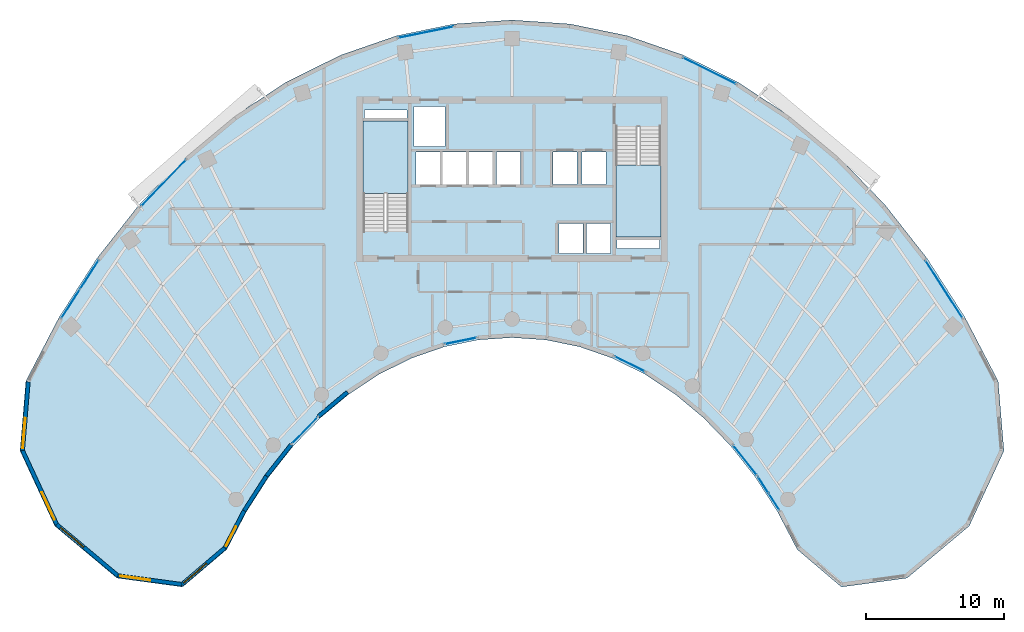
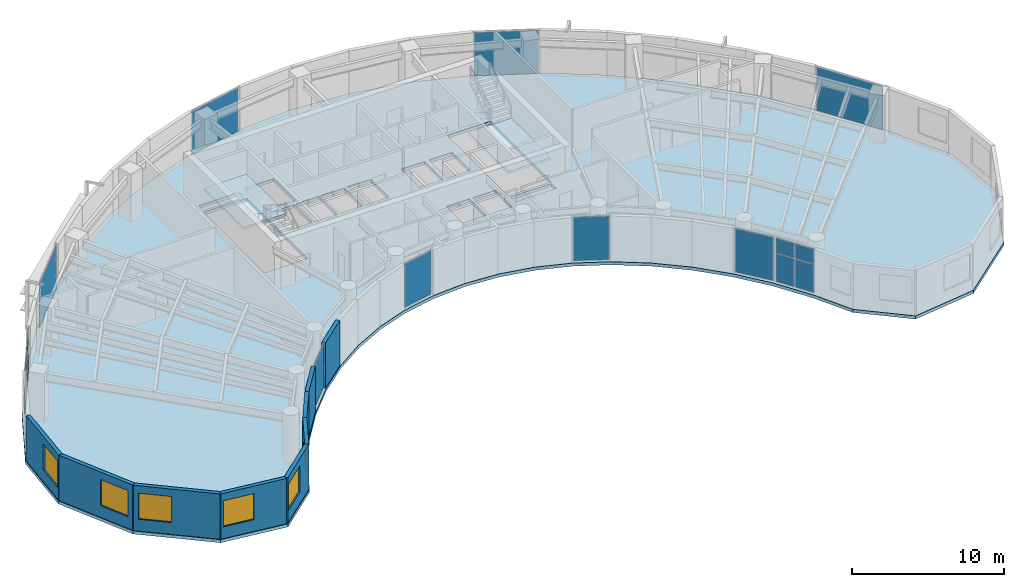
# One storey, part 7 of 13: 16 plates, 9 walls, 6 windows, 3 slabs, 6 openings, 12 elements without a shape of their own.
"""IFC4 building model written with IfcOpenShell, lengths in metres."""

from ifc_helpers import new_model, si_unit, direction, frame, frame_2d, origin, origin_2d, place, context, subcontext, project, spatial, polyline, rectangle, outline, extrude, source, transform, mapped, material, layer, layer_set, type_object, type_shapes, element, fill, aggregate, save


model = new_model("IFC4")

# Units and contexts
model_context = context("Model", 3, precision=1e-05, world=origin(), true_north=direction((0.0, 1.0)))
body_context = subcontext(model_context, "Body", "Model", "MODEL_VIEW")
ifc_project = project(units=[si_unit("LENGTHUNIT", "METRE"), si_unit("AREAUNIT", "SQUARE_METRE"), si_unit("VOLUMEUNIT", "CUBIC_METRE"), si_unit("PLANEANGLEUNIT", "RADIAN"), si_unit("MASSUNIT", "GRAM", prefix="KILO")], contexts=[model_context])

# Site, building, storey
site_placement = place(None, origin())
site = spatial("IfcSite", under=ifc_project, at=site_placement, CompositionType="ELEMENT")
building_placement = place(site_placement, origin())
building = spatial("IfcBuilding", under=site, at=building_placement, Name="Breltana Convention Tower", CompositionType="ELEMENT")
storey_placement = place(building_placement, frame((0.0, 0.0, 154.5)))
storey = spatial("IfcBuildingStorey", under=building, at=storey_placement, Name="L37", CompositionType="ELEMENT", Elevation=154.5)

# Slab
ifc_material_1 = material(Name="Concrete C40/50", Category="concrete")
ifc_layer_1 = layer(ifc_material_1, 0.25, Name="Concrete C40/50")
ifc_layer_set_1 = layer_set([ifc_layer_1], Name="Concrete C40/50")
slab_type_1 = type_object("IfcSlabType", Name="SL-OFF-250", PredefinedType="FLOOR", material=ifc_layer_set_1)
slab_1_placement = place(storey_placement, frame((0.0, 0.0, -0.25)))
element("IfcSlab", 1, at=slab_1_placement, inside=storey, type_object=slab_type_1, Name="L37 Suspended Structural Floor Slab", PredefinedType="FLOOR", context=body_context, shape_type="SweptSolid", body=[
    extrude(outline(polyline([(83.27880859375, 51.539794921875), (80.870361328125, 56.166015625), (78.12548828125, 60.442138671875), (75.072265625, 64.32470703125), (71.74169921875, 67.774169921875), (68.168212890625, 70.7548828125), (64.387939453125, 73.236328125), (60.440185546875, 75.193115234375), (56.36474609375, 76.60546875), (52.203857421875, 77.45849609375), (48.0, 77.743896484375), (43.796142578125, 77.45849609375), (39.63525390625, 76.60546875), (35.559814453125, 75.193115234375), (31.612060546875, 73.236328125), (27.831787109375, 70.7548828125), (24.25830078125, 67.774169921875), (20.927734375, 64.32470703125), (17.87451171875, 60.442138671875), (15.129638671875, 56.166015625), (12.72119140625, 51.539794921875), (12.298095703125, 46.4794921875), (14.822509765625, 41.019287109375), (19.329833984375, 37.2451171875), (24.098876953125, 36.598388671875), (27.3076171875, 39.326171875), (28.72021484375, 42.03955078125), (30.330078125, 44.5478515625), (32.12109375, 46.8251953125), (34.07470703125, 48.848388671875), (36.170654296875, 50.5966796875), (38.3876953125, 52.052001953125), (40.703369140625, 53.19970703125), (43.09375, 54.0283203125), (45.5341796875, 54.528564453125), (48.0, 54.696044921875), (50.4658203125, 54.528564453125), (52.90625, 54.0283203125), (55.296630859375, 53.19970703125), (57.6123046875, 52.052001953125), (59.829345703125, 50.5966796875), (61.92529296875, 48.848388671875), (63.87890625, 46.8251953125), (65.669921875, 44.5478515625), (67.27978515625, 42.03955078125), (68.6923828125, 39.326171875), (71.901123046875, 36.598388671875), (76.670166015625, 37.2451171875), (81.177490234375, 41.019287109375), (83.701904296875, 46.4794921875), (83.27880859375, 51.539794921875)]), holes=[polyline([(37.199951171875, 62.385009765625), (40.469970703125, 62.385009765625), (40.469970703125, 70.39990234375), (37.199951171875, 70.39990234375), (37.199951171875, 62.385009765625)]), polyline([(55.530029296875, 62.0), (58.800048828125, 62.0), (58.800048828125, 70.014892578125), (55.530029296875, 70.014892578125), (55.530029296875, 62.0)]), polyline([(51.39990234375, 60.800048828125), (53.159912109375, 60.800048828125), (53.159912109375, 62.97998046875), (51.39990234375, 62.97998046875), (51.39990234375, 60.800048828125)]), polyline([(53.39990234375, 60.800048828125), (55.159912109375, 60.800048828125), (55.159912109375, 62.97998046875), (53.39990234375, 62.97998046875), (53.39990234375, 60.800048828125)]), polyline([(41.0400390625, 65.820068359375), (42.800048828125, 65.820068359375), (42.800048828125, 68.179931640625), (41.0400390625, 68.179931640625), (41.0400390625, 65.820068359375)]), polyline([(42.93994140625, 65.820068359375), (44.699951171875, 65.820068359375), (44.699951171875, 68.179931640625), (42.93994140625, 68.179931640625), (42.93994140625, 65.820068359375)]), polyline([(44.8701171875, 65.820068359375), (46.6298828125, 65.820068359375), (46.6298828125, 68.179931640625), (44.8701171875, 68.179931640625), (44.8701171875, 65.820068359375)]), polyline([(46.8701171875, 65.820068359375), (48.6298828125, 65.820068359375), (48.6298828125, 68.179931640625), (46.8701171875, 68.179931640625), (46.8701171875, 65.820068359375)]), polyline([(50.969970703125, 65.800048828125), (52.72998046875, 65.800048828125), (52.72998046875, 68.179931640625), (50.969970703125, 68.179931640625), (50.969970703125, 65.800048828125)]), polyline([(53.070068359375, 65.800048828125), (54.830078125, 65.800048828125), (54.830078125, 68.179931640625), (53.070068359375, 68.179931640625), (53.070068359375, 65.800048828125)]), polyline([(40.8798828125, 68.550048828125), (43.1201171875, 68.550048828125), (43.1201171875, 71.449951171875), (40.8798828125, 71.449951171875), (40.8798828125, 68.550048828125)]), polyline([(37.300048828125, 70.60009765625), (40.3798828125, 70.60009765625), (40.3798828125, 71.219970703125), (37.300048828125, 71.219970703125), (37.300048828125, 70.60009765625)]), polyline([(55.6201171875, 61.179931640625), (58.699951171875, 61.179931640625), (58.699951171875, 61.800048828125), (55.6201171875, 61.800048828125), (55.6201171875, 61.179931640625)])]), origin(), (0.0, 0.0, 1.0), 0.25),
])

# Stair, slab
stair_type = type_object("IfcStairType", Name="ST-DOG-1560-R177", PredefinedType="HALF_TURN_STAIR", material=ifc_material_1)
stair_1_placement = place(storey_placement, origin())
stair_1 = element("IfcStair", 2, at=stair_1_placement, inside=storey, type_object=stair_type, Name="L37 Protected Core Exit Stair ST-1", PredefinedType="HALF_TURN_STAIR")
ifc_layer_2 = layer(ifc_material_1, 0.199951171875, Name="Concrete C40/50")
ifc_layer_set_2 = layer_set([ifc_layer_2], Name="Concrete C40/50")
slab_type_2 = type_object("IfcSlabType", Name="SL-STAIR-LANDING-200", PredefinedType="LANDING", material=ifc_layer_set_2)
slab_2_placement = place(storey_placement, frame((0.0, 0.0, 1.75)))
slab_2 = element("IfcSlab", 3, at=slab_2_placement, type_object=slab_type_2, Name="ST-1 landing 1", PredefinedType="LANDING", context=body_context, shape_type="SweptSolid", body=[
    extrude(outline(polyline([(40.469970703125, 65.159912109375), (40.469970703125, 70.39990234375), (37.199951171875, 70.39990234375), (37.199951171875, 65.159912109375), (40.469970703125, 65.159912109375)])), origin(), (0.0, 0.0, 1.0), 0.199951171875),
])
aggregate(stair_1, [slab_2])

stair_2_placement = place(storey_placement, origin())
stair_2 = element("IfcStair", 4, at=stair_2_placement, inside=storey, type_object=stair_type, Name="L37 Protected Core Exit Stair ST-2", PredefinedType="HALF_TURN_STAIR")
slab_3_placement = place(storey_placement, frame((0.0, 0.0, 1.75)))
slab_3 = element("IfcSlab", 5, at=slab_3_placement, type_object=slab_type_2, Name="ST-2 landing 1", PredefinedType="LANDING", context=body_context, shape_type="SweptSolid", body=[
    extrude(outline(polyline([(55.530029296875, 67.239990234375), (55.530029296875, 62.0), (58.800048828125, 62.0), (58.800048828125, 67.239990234375), (55.530029296875, 67.239990234375)])), origin(), (0.0, 0.0, 1.0), 0.199951171875),
])
aggregate(stair_2, [slab_3])

# Curtain wall, plates
ifc_material_2 = material(Name="Aluminium Anodised Bronze Frame", Category="aluminium")
ifc_layer_3 = layer(ifc_material_2, 0.18994140625, Name="Aluminium Anodised Bronze Frame")
ifc_layer_set_3 = layer_set([ifc_layer_3], Name="Aluminium Anodised Bronze Frame")
curtain_wall_type_1 = type_object("IfcCurtainWallType", Name="CW-SYS-1", PredefinedType="NOTDEFINED", material=ifc_layer_set_3)
curtain_wall_1_placement = place(storey_placement, origin())
curtain_wall_1 = element("IfcCurtainWall", 6, at=curtain_wall_1_placement, inside=storey, type_object=curtain_wall_type_1, Name="L37 inner south-court glazing 1", PredefinedType="NOTDEFINED")
ifc_material_3 = material(Name="Glass Low-E Double Glazing", Category="glass")
ifc_layer_4 = layer(ifc_material_3, 0.028076171875, Name="Glass Low-E Double Glazing")
ifc_layer_set_4 = layer_set([ifc_layer_4], Name="Glass Low-E Double Glazing")
plate_type = type_object("IfcPlateType", Name="CWP-IGU-28", PredefinedType="CURTAIN_PANEL", material=ifc_layer_set_4)
shared_shape_1 = source(origin(), body_context, "Body", "SweptSolid", [
    extrude(rectangle(XDim=1.3701171875, YDim=0.028076171875, at=origin_2d()), origin(), (0.0, 0.0, 1.0), 2.25244140625),
])
plate_1_placement = place(storey_placement, frame((67.01806640625, 42.78076171875, 0.080078125), z_axis=(0.0, 0.0, 1.0), x_axis=(-0.540184298954, 0.841546744491, 0.0)))
plate_1 = element("IfcPlate", 7, at=plate_1_placement, type_object=plate_type, Name="CW-01 panel 1.1", PredefinedType="CURTAIN_PANEL", context=body_context, shape_type="MappedRepresentation", body=[
    mapped(shared_shape_1, transform((0.0, 0.0, 0.0), scale=1.0)),
])
plate_2_placement = place(storey_placement, frame((66.234619140625, 44.001220703125, 0.080078125), z_axis=(0.0, 0.0, 1.0), x_axis=(-0.540184298954, 0.841546744491, 0.0)))
plate_2 = element("IfcPlate", 8, at=plate_2_placement, type_object=plate_type, Name="CW-01 panel 2.1", PredefinedType="CURTAIN_PANEL", context=body_context, shape_type="MappedRepresentation", body=[
    mapped(shared_shape_1, transform((0.0, 0.0, 0.0), scale=1.0)),
])
shared_shape_2 = source(origin(), body_context, "Body", "SweptSolid", [
    extrude(rectangle(XDim=1.3701171875, YDim=0.028076171875, at=origin_2d()), origin(), (0.0, 0.0, 1.0), 1.157470703125),
])
plate_3_placement = place(storey_placement, frame((67.01806640625, 42.78076171875, 2.41259765625), z_axis=(0.0, 0.0, 1.0), x_axis=(-0.540184298954, 0.841546744491, 0.0)))
plate_3 = element("IfcPlate", 9, at=plate_3_placement, type_object=plate_type, Name="CW-01 panel 1.2", PredefinedType="CURTAIN_PANEL", context=body_context, shape_type="MappedRepresentation", body=[
    mapped(shared_shape_2, transform((0.0, 0.0, 0.0), scale=1.0)),
])
plate_4_placement = place(storey_placement, frame((66.234619140625, 44.001220703125, 2.41259765625), z_axis=(0.0, 0.0, 1.0), x_axis=(-0.540184298954, 0.841546744491, 0.0)))
plate_4 = element("IfcPlate", 10, at=plate_4_placement, type_object=plate_type, Name="CW-01 panel 2.2", PredefinedType="CURTAIN_PANEL", context=body_context, shape_type="MappedRepresentation", body=[
    mapped(shared_shape_2, transform((0.0, 0.0, 0.0), scale=1.0)),
])
aggregate(curtain_wall_1, [plate_1, plate_3, plate_2, plate_4])

# Curtain wall, plate
curtain_wall_2_placement = place(storey_placement, origin())
curtain_wall_2 = element("IfcCurtainWall", 11, at=curtain_wall_2_placement, inside=storey, type_object=curtain_wall_type_1, Name="L37 inner south-court glazing 2", PredefinedType="NOTDEFINED")
shared_shape_3 = source(origin(), body_context, "Body", "SweptSolid", [
    extrude(rectangle(XDim=2.737060546875, YDim=0.028076171875, at=origin_2d()), origin(), (0.0, 0.0, 1.0), 3.489990234375),
])
plate_5_placement = place(storey_placement, frame((64.915771484375, 45.7978515625, 0.080078125), z_axis=(0.0, 0.0, 1.0), x_axis=(-0.618161435717, 0.786051168431, 0.0)))
plate_5 = element("IfcPlate", 12, at=plate_5_placement, type_object=plate_type, Name="CW-01 panel 1.1", PredefinedType="CURTAIN_PANEL", context=body_context, shape_type="MappedRepresentation", body=[
    mapped(shared_shape_3, transform((0.0, 0.0, 0.0), scale=1.0)),
])
aggregate(curtain_wall_2, [plate_5])

# Curtain wall, plates
ifc_layer_5 = layer(ifc_material_2, 0.2099609375, Name="Aluminium Anodised Bronze Frame")
ifc_layer_set_5 = layer_set([ifc_layer_5], Name="Aluminium Anodised Bronze Frame")
curtain_wall_type_2 = type_object("IfcCurtainWallType", Name="CW-SYS-3", PredefinedType="NOTDEFINED", material=ifc_layer_set_5)
curtain_wall_3_placement = place(storey_placement, origin())
curtain_wall_3 = element("IfcCurtainWall", 13, at=curtain_wall_3_placement, inside=storey, type_object=curtain_wall_type_2, Name="L37 outer double-skin inner glazing 1", PredefinedType="NOTDEFINED")
shared_shape_4 = source(origin(), body_context, "Body", "SweptSolid", [
    extrude(rectangle(XDim=2.42724609375, YDim=0.028076171875, at=origin_2d()), origin(), (0.0, 0.0, 1.0), 2.25244140625),
])
plate_6_placement = place(storey_placement, frame((15.97900390625, 57.15576171875, 0.080078125), z_axis=(0.0, 0.0, 1.0), x_axis=(0.54017267843, 0.841554203529, 0.0)))
plate_6 = element("IfcPlate", 14, at=plate_6_placement, type_object=plate_type, Name="CW-03 panel 1.1", PredefinedType="CURTAIN_PANEL", context=body_context, shape_type="MappedRepresentation", body=[
    mapped(shared_shape_4, transform((0.0, 0.0, 0.0), scale=1.0)),
])
plate_7_placement = place(storey_placement, frame((17.327880859375, 59.25732421875, 0.080078125), z_axis=(0.0, 0.0, 1.0), x_axis=(0.54017267843, 0.841554203529, 0.0)))
plate_7 = element("IfcPlate", 15, at=plate_7_placement, type_object=plate_type, Name="CW-03 panel 2.1", PredefinedType="CURTAIN_PANEL", context=body_context, shape_type="MappedRepresentation", body=[
    mapped(shared_shape_4, transform((0.0, 0.0, 0.0), scale=1.0)),
])
shared_shape_5 = source(origin(), body_context, "Body", "SweptSolid", [
    extrude(rectangle(XDim=2.42724609375, YDim=0.028076171875, at=origin_2d()), origin(), (0.0, 0.0, 1.0), 1.157470703125),
])
plate_8_placement = place(storey_placement, frame((15.97900390625, 57.15576171875, 2.41259765625), z_axis=(0.0, 0.0, 1.0), x_axis=(0.54017267843, 0.841554203529, 0.0)))
plate_8 = element("IfcPlate", 16, at=plate_8_placement, type_object=plate_type, Name="CW-03 panel 1.2", PredefinedType="CURTAIN_PANEL", context=body_context, shape_type="MappedRepresentation", body=[
    mapped(shared_shape_5, transform((0.0, 0.0, 0.0), scale=1.0)),
])
plate_9_placement = place(storey_placement, frame((17.327880859375, 59.25732421875, 2.41259765625), z_axis=(0.0, 0.0, 1.0), x_axis=(0.54017267843, 0.841554203529, 0.0)))
plate_9 = element("IfcPlate", 17, at=plate_9_placement, type_object=plate_type, Name="CW-03 panel 2.2", PredefinedType="CURTAIN_PANEL", context=body_context, shape_type="MappedRepresentation", body=[
    mapped(shared_shape_5, transform((0.0, 0.0, 0.0), scale=1.0)),
])
aggregate(curtain_wall_3, [plate_6, plate_8, plate_7, plate_9])

# Curtain wall, plate
curtain_wall_4_placement = place(storey_placement, origin())
curtain_wall_4 = element("IfcCurtainWall", 18, at=curtain_wall_4_placement, inside=storey, type_object=curtain_wall_type_2, Name="L37 outer double-skin inner glazing 4", PredefinedType="NOTDEFINED")
shared_shape_6 = source(origin(), body_context, "Body", "SweptSolid", [
    extrude(rectangle(XDim=4.243896484375, YDim=0.028076171875, at=origin_2d()), origin(), (0.0, 0.0, 1.0), 3.489990234375),
])
plate_10_placement = place(storey_placement, frame((62.334228515625, 74.053466796875, 0.080078125), z_axis=(0.0, 0.0, 1.0), x_axis=(0.895968385619, -0.444117835682, 0.0)))
plate_10 = element("IfcPlate", 19, at=plate_10_placement, type_object=plate_type, Name="CW-03 panel 1.1", PredefinedType="CURTAIN_PANEL", context=body_context, shape_type="MappedRepresentation", body=[
    mapped(shared_shape_6, transform((0.0, 0.0, 0.0), scale=1.0)),
])
aggregate(curtain_wall_4, [plate_10])

curtain_wall_5_placement = place(storey_placement, origin())
curtain_wall_5 = element("IfcCurtainWall", 20, at=curtain_wall_5_placement, inside=storey, type_object=curtain_wall_type_2, Name="L37 outer double-skin inner glazing 3", PredefinedType="NOTDEFINED")
shared_shape_7 = source(origin(), body_context, "Body", "SweptSolid", [
    extrude(rectangle(XDim=4.08349609375, YDim=0.028076171875, at=origin_2d()), origin(), (0.0, 0.0, 1.0), 3.489990234375),
])
plate_11_placement = place(storey_placement, frame((41.751708984375, 76.855712890625, 0.080078125), z_axis=(0.0, 0.0, 1.0), x_axis=(0.979616560993, 0.200876562668, 0.0)))
plate_11 = element("IfcPlate", 21, at=plate_11_placement, type_object=plate_type, Name="CW-03 panel 1.1", PredefinedType="CURTAIN_PANEL", context=body_context, shape_type="MappedRepresentation", body=[
    mapped(shared_shape_7, transform((0.0, 0.0, 0.0), scale=1.0)),
])
aggregate(curtain_wall_5, [plate_11])

curtain_wall_6_placement = place(storey_placement, origin())
curtain_wall_6 = element("IfcCurtainWall", 22, at=curtain_wall_6_placement, inside=storey, type_object=curtain_wall_type_2, Name="L37 outer double-skin inner glazing 2", PredefinedType="NOTDEFINED")
shared_shape_8 = source(origin(), body_context, "Body", "SweptSolid", [
    extrude(rectangle(XDim=4.635986328125, YDim=0.028076171875, at=origin_2d()), origin(), (0.0, 0.0, 1.0), 3.489990234375),
])
plate_12_placement = place(storey_placement, frame((22.722412109375, 65.92431640625, 0.080078125), z_axis=(0.0, 0.0, 1.0), x_axis=(0.694602734297, 0.719393523398, 0.0)))
plate_12 = element("IfcPlate", 23, at=plate_12_placement, type_object=plate_type, Name="CW-03 panel 1.1", PredefinedType="CURTAIN_PANEL", context=body_context, shape_type="MappedRepresentation", body=[
    mapped(shared_shape_8, transform((0.0, 0.0, 0.0), scale=1.0)),
])
aggregate(curtain_wall_6, [plate_12])

curtain_wall_7_placement = place(storey_placement, origin())
curtain_wall_7 = element("IfcCurtainWall", 24, at=curtain_wall_7_placement, inside=storey, type_object=curtain_wall_type_1, Name="L37 inner south-court glazing 3", PredefinedType="NOTDEFINED")
shared_shape_9 = source(origin(), body_context, "Body", "SweptSolid", [
    extrude(rectangle(XDim=2.424560546875, YDim=0.028076171875, at=origin_2d()), origin(), (0.0, 0.0, 1.0), 3.489990234375),
])
plate_13_placement = place(storey_placement, frame((56.5341796875, 52.787109375, 0.080078125), z_axis=(0.0, 0.0, 1.0), x_axis=(-0.895969545082, 0.444115496562, 0.0)))
plate_13 = element("IfcPlate", 25, at=plate_13_placement, type_object=plate_type, Name="CW-01 panel 1.1", PredefinedType="CURTAIN_PANEL", context=body_context, shape_type="MappedRepresentation", body=[
    mapped(shared_shape_9, transform((0.0, 0.0, 0.0), scale=1.0)),
])
aggregate(curtain_wall_7, [plate_13])

curtain_wall_8_placement = place(storey_placement, origin())
curtain_wall_8 = element("IfcCurtainWall", 26, at=curtain_wall_8_placement, inside=storey, type_object=curtain_wall_type_1, Name="L37 inner south-court glazing 4", PredefinedType="NOTDEFINED")
shared_shape_10 = source(origin(), body_context, "Body", "SweptSolid", [
    extrude(rectangle(XDim=2.331298828125, YDim=0.028076171875, at=origin_2d()), origin(), (0.0, 0.0, 1.0), 3.489990234375),
])
plate_14_placement = place(storey_placement, frame((44.27783203125, 54.45458984375, 0.080078125), z_axis=(0.0, 0.0, 1.0), x_axis=(-0.979619715529, -0.200861178299, 0.0)))
plate_14 = element("IfcPlate", 27, at=plate_14_placement, type_object=plate_type, Name="CW-01 panel 1.1", PredefinedType="CURTAIN_PANEL", context=body_context, shape_type="MappedRepresentation", body=[
    mapped(shared_shape_10, transform((0.0, 0.0, 0.0), scale=1.0)),
])
aggregate(curtain_wall_8, [plate_14])

curtain_wall_9_placement = place(storey_placement, origin())
curtain_wall_9 = element("IfcCurtainWall", 28, at=curtain_wall_9_placement, inside=storey, type_object=curtain_wall_type_1, Name="L37 inner south-court glazing 5", PredefinedType="NOTDEFINED")
shared_shape_11 = source(origin(), body_context, "Body", "SweptSolid", [
    extrude(rectangle(XDim=2.65234375, YDim=0.028076171875, at=origin_2d()), origin(), (0.0, 0.0, 1.0), 3.489990234375),
])
plate_15_placement = place(storey_placement, frame((32.96826171875, 47.961669921875, 0.080078125), z_axis=(0.0, 0.0, 1.0), x_axis=(-0.694606570168, -0.719389819694, 0.0)))
plate_15 = element("IfcPlate", 29, at=plate_15_placement, type_object=plate_type, Name="CW-01 panel 1.1", PredefinedType="CURTAIN_PANEL", context=body_context, shape_type="MappedRepresentation", body=[
    mapped(shared_shape_11, transform((0.0, 0.0, 0.0), scale=1.0)),
])
aggregate(curtain_wall_9, [plate_15])

curtain_wall_10_placement = place(storey_placement, origin())
curtain_wall_10 = element("IfcCurtainWall", 30, at=curtain_wall_10_placement, inside=storey, type_object=curtain_wall_type_2, Name="L37 outer double-skin inner glazing 5", PredefinedType="NOTDEFINED")
shared_shape_12 = source(origin(), body_context, "Body", "SweptSolid", [
    extrude(rectangle(XDim=4.924560546875, YDim=0.028076171875, at=origin_2d()), origin(), (0.0, 0.0, 1.0), 3.489990234375),
])
plate_16_placement = place(storey_placement, frame((79.3466796875, 58.20654296875, 0.080078125), z_axis=(0.0, 0.0, 1.0), x_axis=(0.54017267843, -0.841554203529, 0.0)))
plate_16 = element("IfcPlate", 31, at=plate_16_placement, type_object=plate_type, Name="CW-03 panel 1.1", PredefinedType="CURTAIN_PANEL", context=body_context, shape_type="MappedRepresentation", body=[
    mapped(shared_shape_12, transform((0.0, 0.0, 0.0), scale=1.0)),
])
aggregate(curtain_wall_10, [plate_16])

# Wall, opening, window
ifc_material_4 = material(Name="Limestone Buff Insulated Wall", Category="masonry")
ifc_layer_6 = layer(ifc_material_4, 0.280029296875, Name="Limestone Buff Insulated Wall")
ifc_layer_set_6 = layer_set([ifc_layer_6], Name="Limestone Buff Insulated Wall")
wall_type = type_object("IfcWallType", Name="WL-EXT-NOSE-280", PredefinedType="SOLIDWALL", material=ifc_layer_set_6)
shared_shape_13 = source(origin(), body_context, "Body", "SweptSolid", [
    extrude(rectangle(XDim=4.994384765625, YDim=0.280029296875, at=frame_2d((2.4970703125, 0.0))), origin(), (0.0, 0.0, 1.0), 3.64990234375),
])
wall_1_placement = place(storey_placement, frame((12.4814453125, 46.51171875, 0.0), z_axis=(0.0, 0.0, 1.0), x_axis=(0.083344839916, 0.996520766296, 0.0)))
wall_1 = element("IfcWall", 32, at=wall_1_placement, inside=storey, type_object=wall_type, Name="L37 curved limestone nose wall W6", PredefinedType="SOLIDWALL", context=body_context, shape_type="MappedRepresentation", body=[
    mapped(shared_shape_13, transform((0.0, 0.0, 0.0), scale=1.0)),
])
opening_1_placement = place(wall_1_placement, frame((0.159912109375, 0.0, 0.949951171875)))
opening_1 = element("IfcOpeningElement", 33, at=opening_1_placement, cuts=wall_1, Name="Opening W-03", PredefinedType="OPENING", context=body_context, shape_type="SweptSolid", body=[
    extrude(rectangle(XDim=2.199951171875, YDim=2.10009765625, at=frame_2d((1.10009765625, 1.050048828125))), frame((0.0, 0.14990234375, 0.0), z_axis=(0.0, -1.0, 0.0), x_axis=(1.0, 0.0, 0.0)), (0.0, 0.0, 1.0), 0.300048828125),
])
ifc_material_5 = material(Name="Glass Low-E Insulated Window", Category="glass")
window_type_1 = type_object("IfcWindowType", Name="WN-NOSE-2200X2100", PartitioningType="TRIPLE_PANEL_VERTICAL", PredefinedType="WINDOW", material=ifc_material_5)
shared_shape_14 = source(origin(), body_context, "Body", "SweptSolid", [
    extrude(rectangle(XDim=2.199951171875, YDim=2.10009765625, at=frame_2d((1.10009765625, 1.050048828125))), frame((0.0, 0.030029296875, 0.0), z_axis=(0.0, -1.0, 0.0), x_axis=(1.0, 0.0, 0.0)), (0.0, 0.0, 1.0), 0.06005859375),
])
type_shapes(window_type_1, [shared_shape_14])
window_1_placement = place(opening_1_placement, origin())
window_1 = element("IfcWindow", 34, at=window_1_placement, inside=storey, type_object=window_type_1, Name="L37 nose window W6", OverallHeight=2.10009765625, OverallWidth=2.199951171875, PartitioningType="TRIPLE_PANEL_VERTICAL", PredefinedType="WINDOW", context=body_context, shape_type="MappedRepresentation", body=[
    mapped(shared_shape_14, transform((0.0, 0.0, 0.0), scale=1.0)),
])
fill(opening_1, window_1)

shared_shape_15 = source(origin(), body_context, "Body", "SweptSolid", [
    extrude(rectangle(XDim=5.927490234375, YDim=0.280029296875, at=frame_2d((2.9638671875, 0.0))), origin(), (0.0, 0.0, 1.0), 3.64990234375),
])
wall_2_placement = place(storey_placement, frame((14.968994140625, 41.13134765625, 0.0), z_axis=(0.0, 0.0, 1.0), x_axis=(-0.419656204795, 0.907683132914, 0.0)))
wall_2 = element("IfcWall", 35, at=wall_2_placement, inside=storey, type_object=wall_type, Name="L37 curved limestone nose wall W5", PredefinedType="SOLIDWALL", context=body_context, shape_type="MappedRepresentation", body=[
    mapped(shared_shape_15, transform((0.0, 0.0, 0.0), scale=1.0)),
])
opening_2_placement = place(wall_2_placement, frame((0.3818359375, 0.0, 0.949951171875)))
opening_2 = element("IfcOpeningElement", 36, at=opening_2_placement, cuts=wall_2, Name="Opening W-03", PredefinedType="OPENING", context=body_context, shape_type="SweptSolid", body=[
    extrude(rectangle(XDim=2.199951171875, YDim=2.10009765625, at=frame_2d((1.10009765625, 1.050048828125))), frame((0.0, 0.14990234375, 0.0), z_axis=(0.0, -1.0, 0.0), x_axis=(1.0, 0.0, 0.0)), (0.0, 0.0, 1.0), 0.300048828125),
])
window_2_placement = place(opening_2_placement, origin())
window_2 = element("IfcWindow", 37, at=window_2_placement, inside=storey, type_object=window_type_1, Name="L37 nose window W5", OverallHeight=2.10009765625, OverallWidth=2.199951171875, PartitioningType="TRIPLE_PANEL_VERTICAL", PredefinedType="WINDOW", context=body_context, shape_type="MappedRepresentation", body=[
    mapped(shared_shape_14, transform((0.0, 0.0, 0.0), scale=1.0)),
])
fill(opening_2, window_2)

shared_shape_16 = source(origin(), body_context, "Body", "SweptSolid", [
    extrude(rectangle(XDim=5.786376953125, YDim=0.280029296875, at=frame_2d((2.89306640625, 0.0))), origin(), (0.0, 0.0, 1.0), 3.64990234375),
])
wall_3_placement = place(storey_placement, frame((19.405517578125, 37.41650390625, 0.0), z_axis=(0.0, 0.0, 1.0), x_axis=(-0.766711306852, 0.641992034176, 0.0)))
wall_3 = element("IfcWall", 38, at=wall_3_placement, inside=storey, type_object=wall_type, Name="L37 curved limestone nose wall W4", PredefinedType="SOLIDWALL", context=body_context, shape_type="MappedRepresentation", body=[
    mapped(shared_shape_16, transform((0.0, 0.0, 0.0), scale=1.0)),
])
opening_3_placement = place(wall_3_placement, frame((3.239990234375, 0.0, 0.949951171875)))
opening_3 = element("IfcOpeningElement", 39, at=opening_3_placement, cuts=wall_3, Name="Opening W-03", PredefinedType="OPENING", context=body_context, shape_type="SweptSolid", body=[
    extrude(rectangle(XDim=2.199951171875, YDim=2.10009765625, at=frame_2d((1.10009765625, 1.050048828125))), frame((0.0, 0.14990234375, 0.0), z_axis=(0.0, -1.0, 0.0), x_axis=(1.0, 0.0, 0.0)), (0.0, 0.0, 1.0), 0.300048828125),
])
window_3_placement = place(opening_3_placement, origin())
window_3 = element("IfcWindow", 40, at=window_3_placement, inside=storey, type_object=window_type_1, Name="L37 nose window W4", OverallHeight=2.10009765625, OverallWidth=2.199951171875, PartitioningType="TRIPLE_PANEL_VERTICAL", PredefinedType="WINDOW", context=body_context, shape_type="MappedRepresentation", body=[
    mapped(shared_shape_14, transform((0.0, 0.0, 0.0), scale=1.0)),
])
fill(opening_3, window_3)

shared_shape_17 = source(origin(), body_context, "Body", "SweptSolid", [
    extrude(rectangle(XDim=4.680419921875, YDim=0.280029296875, at=frame_2d((2.34033203125, 0.0))), origin(), (0.0, 0.0, 1.0), 3.64990234375),
])
wall_4_placement = place(storey_placement, frame((24.04345703125, 36.78759765625, 0.0), z_axis=(0.0, 0.0, 1.0), x_axis=(-0.990931146435, 0.134370618162, 0.0)))
wall_4 = element("IfcWall", 41, at=wall_4_placement, inside=storey, type_object=wall_type, Name="L37 curved limestone nose wall W3", PredefinedType="SOLIDWALL", context=body_context, shape_type="MappedRepresentation", body=[
    mapped(shared_shape_17, transform((0.0, 0.0, 0.0), scale=1.0)),
])
opening_4_placement = place(wall_4_placement, frame((2.3203125, 0.0, 0.949951171875)))
opening_4 = element("IfcOpeningElement", 42, at=opening_4_placement, cuts=wall_4, Name="Opening W-03", PredefinedType="OPENING", context=body_context, shape_type="SweptSolid", body=[
    extrude(rectangle(XDim=2.199951171875, YDim=2.10009765625, at=frame_2d((1.10009765625, 1.050048828125))), frame((0.0, 0.14990234375, 0.0), z_axis=(0.0, -1.0, 0.0), x_axis=(1.0, 0.0, 0.0)), (0.0, 0.0, 1.0), 0.300048828125),
])
window_4_placement = place(opening_4_placement, origin())
window_4 = element("IfcWindow", 43, at=window_4_placement, inside=storey, type_object=window_type_1, Name="L37 nose window W3", OverallHeight=2.10009765625, OverallWidth=2.199951171875, PartitioningType="TRIPLE_PANEL_VERTICAL", PredefinedType="WINDOW", context=body_context, shape_type="MappedRepresentation", body=[
    mapped(shared_shape_14, transform((0.0, 0.0, 0.0), scale=1.0)),
])
fill(opening_4, window_4)

shared_shape_18 = source(origin(), body_context, "Body", "SweptSolid", [
    extrude(rectangle(XDim=4.095947265625, YDim=0.280029296875, at=frame_2d((2.0478515625, 0.0))), origin(), (0.0, 0.0, 1.0), 3.64990234375),
])
wall_5_placement = place(storey_placement, frame((27.164306640625, 39.4404296875, 0.0), z_axis=(0.0, 0.0, 1.0), x_axis=(-0.761926081737, -0.647663991564, 0.0)))
wall_5 = element("IfcWall", 44, at=wall_5_placement, inside=storey, type_object=wall_type, Name="L37 curved limestone nose wall W2", PredefinedType="SOLIDWALL", context=body_context, shape_type="MappedRepresentation", body=[
    mapped(shared_shape_18, transform((0.0, 0.0, 0.0), scale=1.0)),
])
opening_5_placement = place(wall_5_placement, frame((1.736083984375, 0.0, 0.949951171875)))
opening_5 = element("IfcOpeningElement", 45, at=opening_5_placement, cuts=wall_5, Name="Opening W-03", PredefinedType="OPENING", context=body_context, shape_type="SweptSolid", body=[
    extrude(rectangle(XDim=2.199951171875, YDim=2.10009765625, at=frame_2d((1.10009765625, 1.050048828125))), frame((0.0, 0.14990234375, 0.0), z_axis=(0.0, -1.0, 0.0), x_axis=(1.0, 0.0, 0.0)), (0.0, 0.0, 1.0), 0.300048828125),
])
window_5_placement = place(opening_5_placement, origin())
window_5 = element("IfcWindow", 46, at=window_5_placement, inside=storey, type_object=window_type_1, Name="L37 nose window W2", OverallHeight=2.10009765625, OverallWidth=2.199951171875, PartitioningType="TRIPLE_PANEL_VERTICAL", PredefinedType="WINDOW", context=body_context, shape_type="MappedRepresentation", body=[
    mapped(shared_shape_14, transform((0.0, 0.0, 0.0), scale=1.0)),
])
fill(opening_5, window_5)

shared_shape_19 = source(origin(), body_context, "Body", "SweptSolid", [
    extrude(rectangle(XDim=3.02392578125, YDim=0.280029296875, at=frame_2d((1.511962890625, 0.0))), origin(), (0.0, 0.0, 1.0), 3.64990234375),
])
wall_6_placement = place(storey_placement, frame((28.560546875, 42.122802734375, 0.0), z_axis=(0.0, 0.0, 1.0), x_axis=(-0.461718746531, -0.887026380161, 0.0)))
wall_6 = element("IfcWall", 47, at=wall_6_placement, inside=storey, type_object=wall_type, Name="L37 curved limestone nose wall W1", PredefinedType="SOLIDWALL", context=body_context, shape_type="MappedRepresentation", body=[
    mapped(shared_shape_19, transform((0.0, 0.0, 0.0), scale=1.0)),
])
opening_6_placement = place(wall_6_placement, frame((1.263916015625, 0.0, 0.949951171875)))
opening_6 = element("IfcOpeningElement", 48, at=opening_6_placement, cuts=wall_6, Name="Opening W-04", PredefinedType="OPENING", context=body_context, shape_type="SweptSolid", body=[
    extrude(rectangle(XDim=1.60009765625, YDim=1.89990234375, at=frame_2d((0.800048828125, 0.949951171875))), frame((0.0, 0.14990234375, 0.0), z_axis=(0.0, -1.0, 0.0), x_axis=(1.0, 0.0, 0.0)), (0.0, 0.0, 1.0), 0.300048828125),
])
window_type_2 = type_object("IfcWindowType", Name="WN-NOSE-1600X1900", PartitioningType="SINGLE_PANEL", PredefinedType="WINDOW", material=ifc_material_5)
shared_shape_20 = source(origin(), body_context, "Body", "SweptSolid", [
    extrude(rectangle(XDim=1.60009765625, YDim=1.89990234375, at=frame_2d((0.800048828125, 0.949951171875))), frame((0.0, 0.030029296875, 0.0), z_axis=(0.0, -1.0, 0.0), x_axis=(1.0, 0.0, 0.0)), (0.0, 0.0, 1.0), 0.06005859375),
])
type_shapes(window_type_2, [shared_shape_20])
window_6_placement = place(opening_6_placement, origin())
window_6 = element("IfcWindow", 49, at=window_6_placement, inside=storey, type_object=window_type_2, Name="L37 nose window W1", OverallHeight=1.89990234375, OverallWidth=1.60009765625, PartitioningType="SINGLE_PANEL", PredefinedType="WINDOW", context=body_context, shape_type="MappedRepresentation", body=[
    mapped(shared_shape_20, transform((0.0, 0.0, 0.0), scale=1.0)),
])
fill(opening_6, window_6)

# Walls
shared_shape_21 = source(origin(), body_context, "Body", "SweptSolid", [
    extrude(rectangle(XDim=2.7294921875, YDim=0.280029296875, at=frame_2d((1.36474609375, 0.0))), origin(), (0.0, 0.0, 1.0), 3.64990234375),
])
wall_7_placement = place(storey_placement, frame((36.055419921875, 50.73486328125, 0.0), z_axis=(0.0, 0.0, 1.0), x_axis=(-0.767957284255, -0.640501061326, 0.0)))
element("IfcWall", 50, at=wall_7_placement, inside=storey, type_object=wall_type, Name="L37 curved limestone nose wall E17", PredefinedType="SOLIDWALL", context=body_context, shape_type="MappedRepresentation", body=[
    mapped(shared_shape_21, transform((0.0, 0.0, 0.0), scale=1.0)),
])
shared_shape_22 = source(origin(), body_context, "Body", "SweptSolid", [
    extrude(rectangle(XDim=2.89697265625, YDim=0.280029296875, at=frame_2d((1.448486328125, 0.0))), origin(), (0.0, 0.0, 1.0), 3.64990234375),
])
wall_8_placement = place(storey_placement, frame((31.9794921875, 46.936279296875, 0.0), z_axis=(0.0, 0.0, 1.0), x_axis=(-0.618167636915, -0.786046291685, 0.0)))
element("IfcWall", 51, at=wall_8_placement, inside=storey, type_object=wall_type, Name="L37 curved limestone nose wall E18", PredefinedType="SOLIDWALL", context=body_context, shape_type="MappedRepresentation", body=[
    mapped(shared_shape_22, transform((0.0, 0.0, 0.0), scale=1.0)),
])
shared_shape_23 = source(origin(), body_context, "Body", "SweptSolid", [
    extrude(rectangle(XDim=2.980712890625, YDim=0.280029296875, at=frame_2d((1.490234375, 0.0))), origin(), (0.0, 0.0, 1.0), 3.64990234375),
])
wall_9_placement = place(storey_placement, frame((30.1787109375, 44.64501953125, 0.0), z_axis=(0.0, 0.0, 1.0), x_axis=(-0.540194451908, -0.841540227278, 0.0)))
element("IfcWall", 52, at=wall_9_placement, inside=storey, type_object=wall_type, Name="L37 curved limestone nose wall E19", PredefinedType="SOLIDWALL", context=body_context, shape_type="MappedRepresentation", body=[
    mapped(shared_shape_23, transform((0.0, 0.0, 0.0), scale=1.0)),
])

save(model, "model.ifc")
